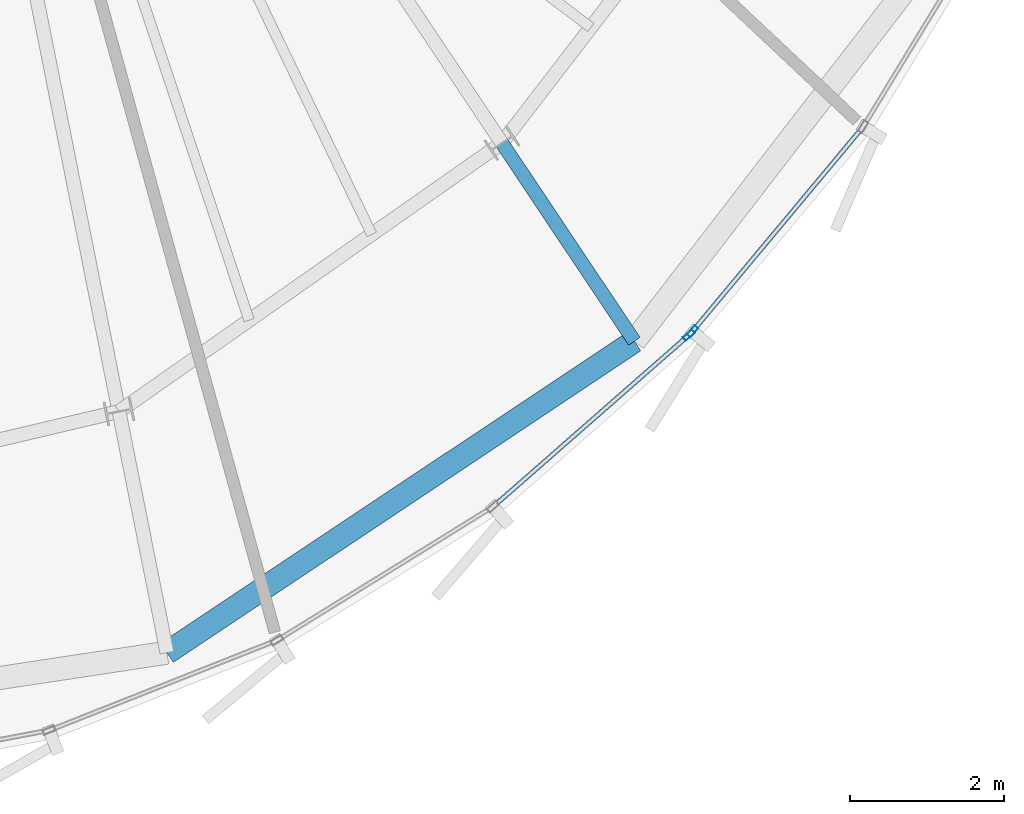
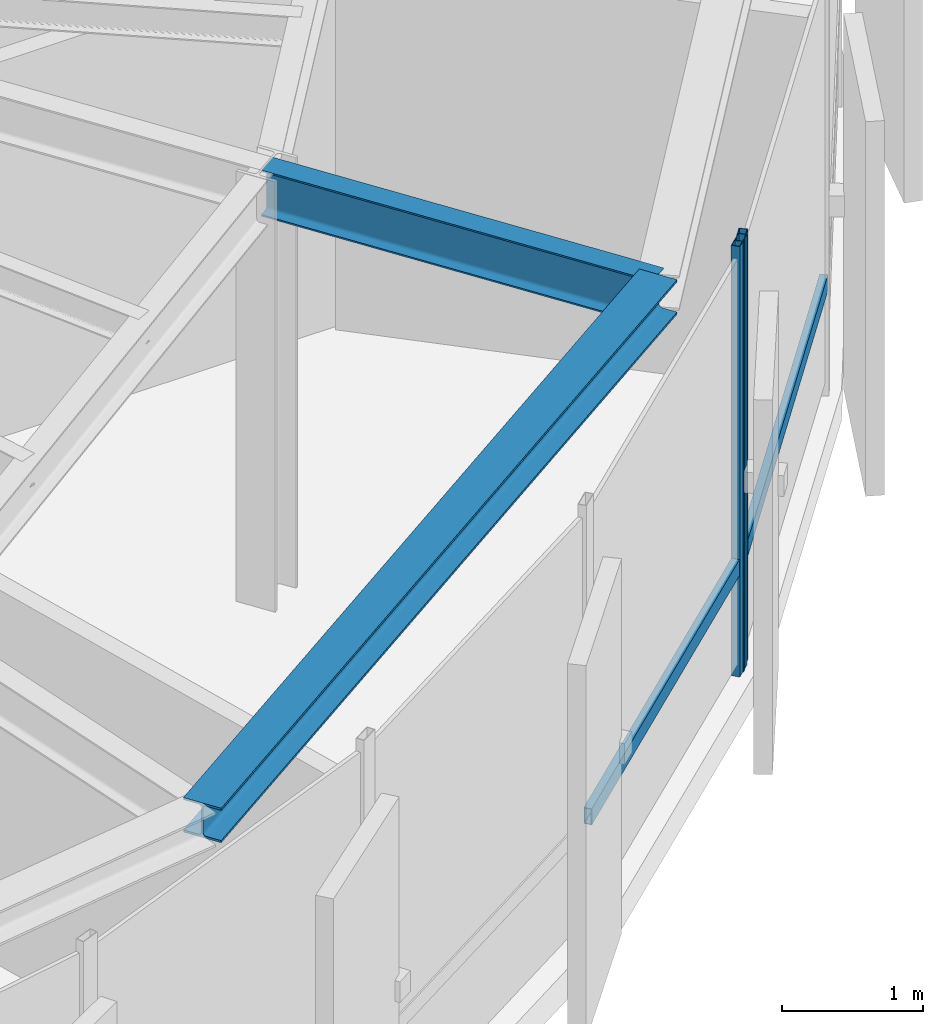
# One storey, part 7 of 26: 4 members, 2 beams, 2 elements without a shape of their own.
"""IFC4 building model written with IfcOpenShell, lengths in metres."""

from ifc_helpers import new_model, si_unit, direction, frame, origin, origin_2d, place, context, subcontext, project, spatial, hollow_rectangle, i_section, extrude, source, transform, mapped, material, layer, layer_set, material_profile, profile_set, type_object, element, aggregate, save


model = new_model("IFC4")

# Units and contexts
model_context = context("Model", 3, precision=1e-05, world=origin(), true_north=direction((0.0, 1.0)))
body_context = subcontext(model_context, "Body", "Model", "MODEL_VIEW")
ifc_project = project(units=[si_unit("LENGTHUNIT", "METRE"), si_unit("AREAUNIT", "SQUARE_METRE"), si_unit("VOLUMEUNIT", "CUBIC_METRE"), si_unit("PLANEANGLEUNIT", "RADIAN"), si_unit("MASSUNIT", "GRAM", prefix="KILO"), si_unit("THERMODYNAMICTEMPERATUREUNIT", "KELVIN")], contexts=[model_context])

# Site, building, storey
site_placement = place(None, origin())
site = spatial("IfcSite", under=ifc_project, at=site_placement, CompositionType="ELEMENT")
building_placement = place(site_placement, origin())
building = spatial("IfcBuilding", under=site, at=building_placement, Name="Kethvar Cultural Tower", CompositionType="ELEMENT")
storey_placement = place(building_placement, frame((0.0, 0.0, 320.300048828125)))
storey = spatial("IfcBuildingStorey", under=building, at=storey_placement, Name="L85", CompositionType="ELEMENT", Elevation=320.300048828125)

# Beams
ifc_material_1 = material(Name="Steel S355J2", Category="steel")
ifc_material_profile_1 = material_profile(ifc_material_1, i_section(OverallWidth=0.179931640625, OverallDepth=0.39990234375, WebThickness=0.008544921875, FlangeThickness=0.013427734375, FilletRadius=0.02099609375, at=origin_2d()), Name="Steel S355J2 — IPE400")
ifc_profile_set_1 = profile_set([ifc_material_profile_1], Name="Steel S355J2 — IPE400")
beam_type_1 = type_object("IfcBeamType", Name="BM-IPE400", PredefinedType="BEAM", material=ifc_profile_set_1)
shared_shape_1 = source(origin(), body_context, "Body", "SweptSolid", [
    extrude(i_section(OverallWidth=0.179931640625, OverallDepth=0.39990234375, WebThickness=0.008544921875, FlangeThickness=0.013427734375, FilletRadius=0.02099609375, at=origin_2d()), origin(), (0.0, 0.0, 1.0), 3.101806640625),
])
beam_1_placement = place(storey_placement, frame((54.885009765625, 15.7001953125, 3.532958984375), z_axis=(0.55553545388, -0.831492849928, 0.0), x_axis=(0.831492849928, 0.55553545388, 0.0)))
element("IfcBeam", 1, at=beam_1_placement, inside=storey, type_object=beam_type_1, Name="L85 Perimeter Cantilever Beam RC-14", PredefinedType="BEAM", context=body_context, shape_type="MappedRepresentation", body=[
    mapped(shared_shape_1, transform((0.0, 0.0, 0.0), scale=1.0)),
])
ifc_material_profile_2 = material_profile(ifc_material_1, i_section(OverallWidth=0.300048828125, OverallDepth=0.300048828125, WebThickness=0.010986328125, FlangeThickness=0.01904296875, FilletRadius=0.027099609375, at=origin_2d()), Name="Steel S355J2 — HEB300")
ifc_profile_set_2 = profile_set([ifc_material_profile_2], Name="Steel S355J2 — HEB300")
beam_type_2 = type_object("IfcBeamType", Name="BM-SP300", PredefinedType="SPANDREL", material=ifc_profile_set_2)
shared_shape_2 = source(origin(), body_context, "Body", "SweptSolid", [
    extrude(i_section(OverallWidth=0.300048828125, OverallDepth=0.300048828125, WebThickness=0.010986328125, FlangeThickness=0.01904296875, FilletRadius=0.027099609375, at=origin_2d()), origin(), (0.0, 0.0, 1.0), 7.308837890625),
])
beam_2_placement = place(storey_placement, frame((50.52587890625, 9.068359375, 3.5830078125), z_axis=(0.832183884599, 0.554499758533, 0.0), x_axis=(-0.554499758533, 0.832183884599, 0.0)))
element("IfcBeam", 2, at=beam_2_placement, inside=storey, type_object=beam_type_2, Name="L85 Perimeter Spandrel Beam SP-13", PredefinedType="SPANDREL", context=body_context, shape_type="MappedRepresentation", body=[
    mapped(shared_shape_2, transform((0.0, 0.0, 0.0), scale=1.0)),
])

# Curtain wall, member
ifc_material_2 = material(Name="Aluminium 6063-T6", Category="aluminium")
ifc_layer = layer(ifc_material_2, 0.179931640625, Name="Aluminium 6063-T6", Category="aluminium")
ifc_layer_set = layer_set([ifc_layer], Name="Aluminium 6063-T6 (180 mm)")
curtain_wall_type = type_object("IfcCurtainWallType", Name="CW-SYS-06-CROWN", PredefinedType="NOTDEFINED", material=ifc_layer_set)
curtain_wall_1_placement = place(storey_placement, origin())
curtain_wall_1 = element("IfcCurtainWall", 3, at=curtain_wall_1_placement, inside=storey, type_object=curtain_wall_type, Name="L85 Curtain Wall Run 04", PredefinedType="NOTDEFINED")
ifc_material_profile_3 = material_profile(ifc_material_2, hollow_rectangle(XDim=0.06494140625, YDim=0.159912109375, WallThickness=0.0048828125, at=origin_2d()), Name="Aluminium 6063-T6 — RHS160x65x5")
ifc_profile_set_3 = profile_set([ifc_material_profile_3], Name="Aluminium 6063-T6 — RHS160x65x5")
member_type_1 = type_object("IfcMemberType", Name="CW-SYS-06-CROWN-MUL", PredefinedType="MULLION", material=ifc_profile_set_3)
shared_shape_3 = source(origin(), body_context, "Body", "SweptSolid", [
    extrude(hollow_rectangle(XDim=0.06494140625, YDim=0.159912109375, WallThickness=0.0048828125, at=origin_2d()), origin(), (0.0, 0.0, 1.0), 3.73486328125),
])
member_1_placement = place(storey_placement, frame((57.318603515625, 13.201904296875, 0.0), z_axis=(0.0, 0.0, 1.0), x_axis=(-0.659267079004, 0.751908849889, 0.0)))
member_1 = element("IfcMember", 4, at=member_1_placement, type_object=member_type_1, Name="CW-L85-R04 Mullion 7", PredefinedType="MULLION", context=body_context, shape_type="MappedRepresentation", body=[
    mapped(shared_shape_3, transform((0.0, 0.0, 0.0), scale=1.0)),
])

# Curtain wall, members
curtain_wall_2_placement = place(storey_placement, origin())
curtain_wall_2 = element("IfcCurtainWall", 5, at=curtain_wall_2_placement, inside=storey, type_object=curtain_wall_type, Name="L85 Curtain Wall Run 05", PredefinedType="NOTDEFINED")
member_2_placement = place(storey_placement, frame((57.364501953125, 13.248779296875, 0.0), z_axis=(0.0, 0.0, 1.0), x_axis=(-0.768060036355, 0.640377842023, 0.0)))
member_2 = element("IfcMember", 6, at=member_2_placement, type_object=member_type_1, Name="CW-L85-R05 Mullion 1", PredefinedType="MULLION", context=body_context, shape_type="MappedRepresentation", body=[
    mapped(shared_shape_3, transform((0.0, 0.0, 0.0), scale=1.0)),
])
ifc_material_profile_4 = material_profile(ifc_material_2, hollow_rectangle(XDim=0.06005859375, YDim=0.139892578125, WallThickness=0.0048828125, at=origin_2d()), Name="Aluminium 6063-T6 — RHS140x60x5")
ifc_profile_set_4 = profile_set([ifc_material_profile_4], Name="Aluminium 6063-T6 — RHS140x60x5")
member_type_2 = type_object("IfcMemberType", Name="CW-SYS-06-CROWN-TRN", PredefinedType="USERDEFINED", material=ifc_profile_set_4)
shared_shape_4 = source(origin(), body_context, "Body", "SweptSolid", [
    extrude(hollow_rectangle(XDim=0.06005859375, YDim=0.139892578125, WallThickness=0.0048828125, at=origin_2d()), origin(), (0.0, 0.0, 1.0), 3.433349609375),
])
member_3_placement = place(storey_placement, frame((57.3671875, 13.25244140625, 0.949951171875), z_axis=(0.640401196144, 0.768040564018, 0.0), x_axis=(-0.768040564018, 0.640401196144, 0.0)))
member_3 = element("IfcMember", 7, at=member_3_placement, type_object=member_type_2, Name="CW-L85-R05 Transom 1", ObjectType="TRANSOM", PredefinedType="USERDEFINED", context=body_context, shape_type="MappedRepresentation", body=[
    mapped(shared_shape_4, transform((0.0, 0.0, 0.0), scale=1.0)),
])
aggregate(curtain_wall_2, [member_2, member_3])

# Member
shared_shape_5 = source(origin(), body_context, "Body", "SweptSolid", [
    extrude(hollow_rectangle(XDim=0.06005859375, YDim=0.139892578125, WallThickness=0.0048828125, at=origin_2d()), origin(), (0.0, 0.0, 1.0), 3.339599609375),
])
member_4_placement = place(storey_placement, frame((54.803955078125, 10.997314453125, 0.949951171875), z_axis=(0.751933291815, 0.659239201399, 0.0), x_axis=(-0.659239201399, 0.751933291815, 0.0)))
member_4 = element("IfcMember", 8, at=member_4_placement, type_object=member_type_2, Name="CW-L85-R04 Transom 6", ObjectType="TRANSOM", PredefinedType="USERDEFINED", context=body_context, shape_type="MappedRepresentation", body=[
    mapped(shared_shape_5, transform((0.0, 0.0, 0.0), scale=1.0)),
])

aggregate(curtain_wall_1, [member_1, member_4])

save(model, "model.ifc")
